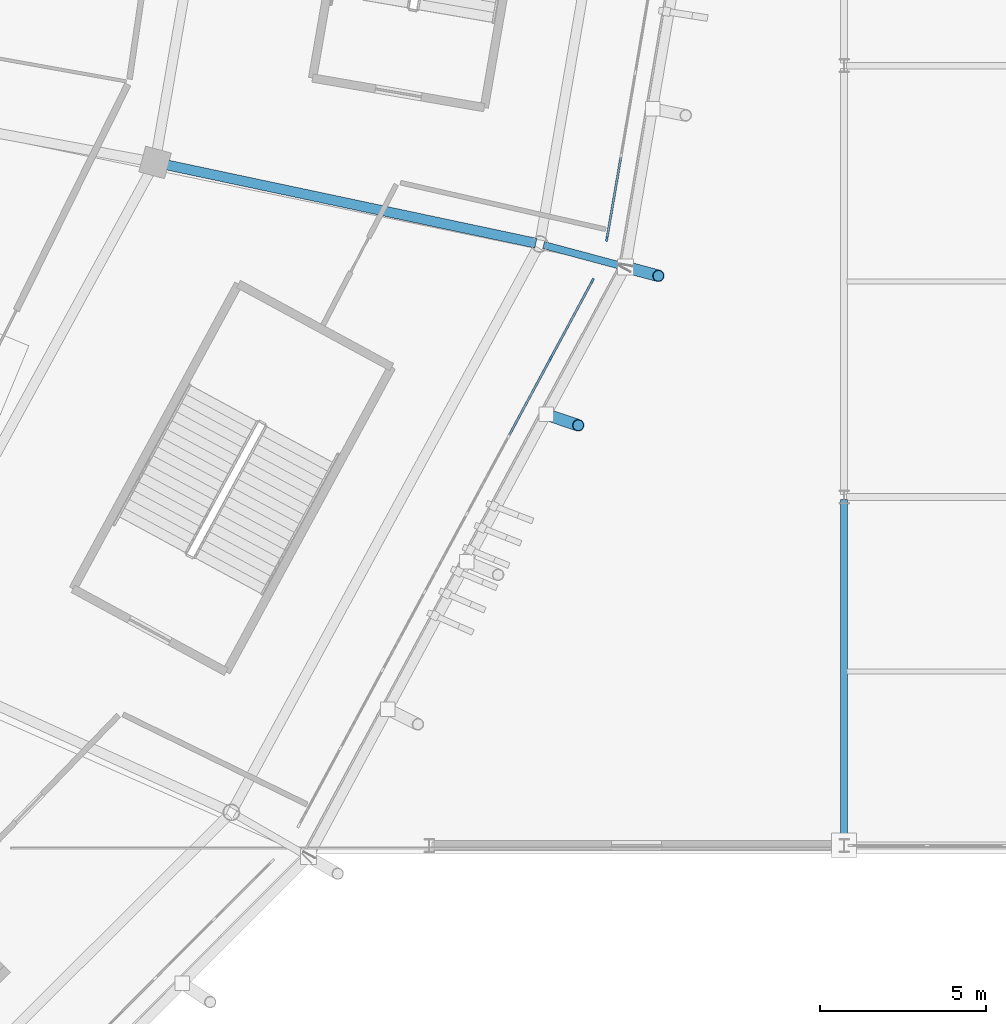
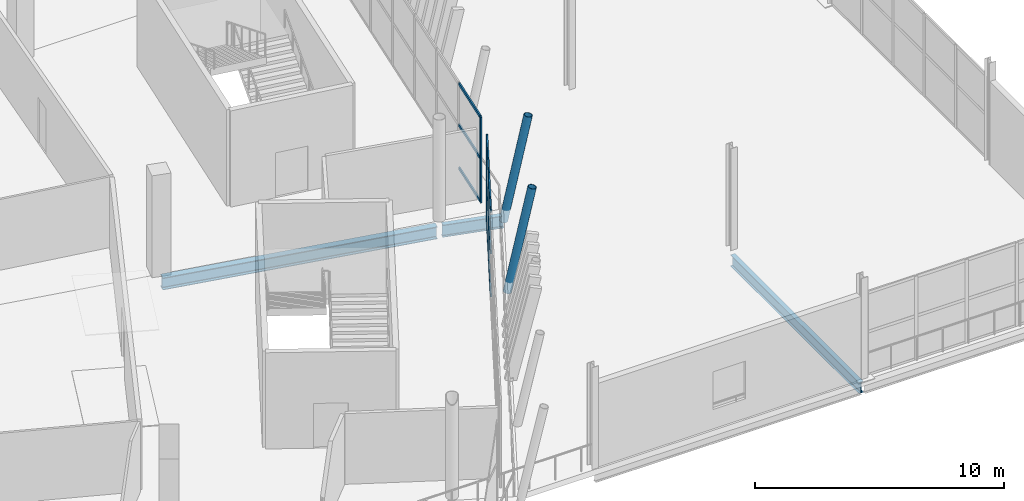
# One storey, part 61 of 179: 14 members, 3 beams, 2 elements without a shape of their own.
"""IFC4 building model written with IfcOpenShell, lengths in metres."""

from ifc_helpers import new_model, si_unit, direction, frame, origin, origin_2d, place, context, subcontext, project, spatial, rectangle, hollow_circle, i_section, extrude, material, material_profile, profile_set, type_object, element, aggregate, save


model = new_model("IFC4")

# Units and contexts
model_context = context("Model", 3, precision=1e-05, world=origin(), true_north=direction((0.0, 1.0)))
body_context = subcontext(model_context, "Body", "Model", "MODEL_VIEW")
ifc_project = project(units=[si_unit("LENGTHUNIT", "METRE"), si_unit("AREAUNIT", "SQUARE_METRE"), si_unit("VOLUMEUNIT", "CUBIC_METRE"), si_unit("PLANEANGLEUNIT", "RADIAN"), si_unit("MASSUNIT", "GRAM", prefix="KILO")], contexts=[model_context])

# Site, building, storey
site_placement = place(None, origin())
site = spatial("IfcSite", under=ifc_project, at=site_placement, CompositionType="ELEMENT")
building_placement = place(site_placement, origin())
building = spatial("IfcBuilding", under=site, at=building_placement, Name="Zlatoyarsky Gate Stadium", CompositionType="ELEMENT")
storey_placement = place(building_placement, frame((0.0, 0.0, 10.60009765625)))
storey = spatial("IfcBuildingStorey", under=building, at=storey_placement, Name="L02", CompositionType="ELEMENT", Elevation=10.60009765625)

# Curtain wall, members
ifc_material_1 = material(Name="Thermally broken anodised aluminium curtain wall", Category="aluminium")
curtain_wall_type = type_object("IfcCurtainWallType", Name="UNITISED HOSPITALITY GLAZING L02", PredefinedType="USERDEFINED", material=ifc_material_1)
curtain_wall_1_placement = place(storey_placement, origin())
curtain_wall_1 = element("IfcCurtainWall", 1, at=curtain_wall_1_placement, inside=storey, type_object=curtain_wall_type, Name="Curtain wall CW-L02-22", ObjectType="UNITISED GLAZING", PredefinedType="USERDEFINED")
ifc_material_2 = material(Name="Anodised aluminium 6063-T6", Category="aluminium")
ifc_material_profile_1 = material_profile(ifc_material_2, rectangle(XDim=0.06494140625, YDim=0.159912109375, at=origin_2d()), Name="ALU 65X160")
ifc_profile_set_1 = profile_set([ifc_material_profile_1], Name="Anodised aluminium 6063-T6")
member_type_1 = type_object("IfcMemberType", Name="ALUMINIUM MULLION 65X160", PredefinedType="MULLION", material=ifc_profile_set_1)
member_1_placement = place(storey_placement, frame((201.1640625, 58.189453125, 0.0), z_axis=(0.0, 0.0, 1.0), x_axis=(-0.88023705837, 0.474534214859, 0.0)))
member_1 = element("IfcMember", 2, at=member_1_placement, type_object=member_type_1, Name="CW-UG2 mullion 7", PredefinedType="MULLION", context=body_context, shape_type="SweptSolid", body=[
    extrude(rectangle(XDim=0.06494140625, YDim=0.159912109375, at=origin_2d()), origin(), (0.0, 0.0, 1.0), 4.199951171875),
])
member_2_placement = place(storey_placement, frame((202.415771484375, 60.511474609375, 0.0), z_axis=(0.0, 0.0, 1.0), x_axis=(-0.88023705837, 0.474534214859, 0.0)))
member_2 = element("IfcMember", 3, at=member_2_placement, type_object=member_type_1, Name="CW-UG2 mullion 8", PredefinedType="MULLION", context=body_context, shape_type="SweptSolid", body=[
    extrude(rectangle(XDim=0.06494140625, YDim=0.159912109375, at=origin_2d()), origin(), (0.0, 0.0, 1.0), 4.199951171875),
])

# Curtain wall, member
curtain_wall_2_placement = place(storey_placement, origin())
curtain_wall_2 = element("IfcCurtainWall", 4, at=curtain_wall_2_placement, inside=storey, type_object=curtain_wall_type, Name="Curtain wall CW-L02-23", ObjectType="UNITISED GLAZING", PredefinedType="USERDEFINED")
member_3_placement = place(storey_placement, frame((202.85498046875, 61.78515625, 0.0), z_axis=(0.0, 0.0, 1.0), x_axis=(-0.985637221019, 0.168876489016, 0.0)))
member_3 = element("IfcMember", 5, at=member_3_placement, type_object=member_type_1, Name="CW-UG2 mullion 1", PredefinedType="MULLION", context=body_context, shape_type="SweptSolid", body=[
    extrude(rectangle(XDim=0.06494140625, YDim=0.159912109375, at=origin_2d()), origin(), (0.0, 0.0, 1.0), 4.199951171875),
])

# Member
ifc_material_profile_2 = material_profile(ifc_material_2, rectangle(XDim=0.06494140625, YDim=0.139892578125, at=origin_2d()), Name="ALU 65X140")
ifc_profile_set_2 = profile_set([ifc_material_profile_2], Name="Anodised aluminium 6063-T6")
member_type_2 = type_object("IfcMemberType", Name="ALUMINIUM TRANSOM 65X140", PredefinedType="USERDEFINED", material=ifc_profile_set_2)
member_4_placement = place(storey_placement, frame((199.912109375, 55.8671875, 0.032470703125), z_axis=(0.47451326859, 0.880248350145, 0.0), x_axis=(-0.880248350145, 0.47451326859, 0.0)))
member_4 = element("IfcMember", 6, at=member_4_placement, type_object=member_type_2, Name="CW-UG2 transom 6.1", ObjectType="TRANSOM", PredefinedType="USERDEFINED", context=body_context, shape_type="SweptSolid", body=[
    extrude(rectangle(XDim=0.06494140625, YDim=0.139892578125, at=origin_2d()), origin(), (0.0, 0.0, 1.0), 2.60546875),
])

member_5_placement = place(storey_placement, frame((199.912109375, 55.8671875, 2.14990234375), z_axis=(0.47451326859, 0.880248350145, 0.0), x_axis=(-0.880248350145, 0.47451326859, 0.0)))
member_5 = element("IfcMember", 7, at=member_5_placement, type_object=member_type_2, Name="CW-UG2 transom 6.2", ObjectType="TRANSOM", PredefinedType="USERDEFINED", context=body_context, shape_type="SweptSolid", body=[
    extrude(rectangle(XDim=0.06494140625, YDim=0.139892578125, at=origin_2d()), origin(), (0.0, 0.0, 1.0), 2.60546875),
])

member_6_placement = place(storey_placement, frame((199.912109375, 55.8671875, 4.16748046875), z_axis=(0.47451326859, 0.880248350145, 0.0), x_axis=(-0.880248350145, 0.47451326859, 0.0)))
member_6 = element("IfcMember", 8, at=member_6_placement, type_object=member_type_2, Name="CW-UG2 transom 6.3", ObjectType="TRANSOM", PredefinedType="USERDEFINED", context=body_context, shape_type="SweptSolid", body=[
    extrude(rectangle(XDim=0.06494140625, YDim=0.139892578125, at=origin_2d()), origin(), (0.0, 0.0, 1.0), 2.60546875),
])

member_7_placement = place(storey_placement, frame((201.179443359375, 58.218017578125, 0.032470703125), z_axis=(0.474518480893, 0.880245540341, 0.0), x_axis=(-0.880245540341, 0.474518480893, 0.0)))
member_7 = element("IfcMember", 9, at=member_7_placement, type_object=member_type_2, Name="CW-UG2 transom 7.1", ObjectType="TRANSOM", PredefinedType="USERDEFINED", context=body_context, shape_type="SweptSolid", body=[
    extrude(rectangle(XDim=0.06494140625, YDim=0.139892578125, at=origin_2d()), origin(), (0.0, 0.0, 1.0), 2.572998046875),
])

member_8_placement = place(storey_placement, frame((201.179443359375, 58.218017578125, 2.14990234375), z_axis=(0.474518480893, 0.880245540341, 0.0), x_axis=(-0.880245540341, 0.474518480893, 0.0)))
member_8 = element("IfcMember", 10, at=member_8_placement, type_object=member_type_2, Name="CW-UG2 transom 7.2", ObjectType="TRANSOM", PredefinedType="USERDEFINED", context=body_context, shape_type="SweptSolid", body=[
    extrude(rectangle(XDim=0.06494140625, YDim=0.139892578125, at=origin_2d()), origin(), (0.0, 0.0, 1.0), 2.572998046875),
])

member_9_placement = place(storey_placement, frame((201.179443359375, 58.218017578125, 4.16748046875), z_axis=(0.474518480893, 0.880245540341, 0.0), x_axis=(-0.880245540341, 0.474518480893, 0.0)))
member_9 = element("IfcMember", 11, at=member_9_placement, type_object=member_type_2, Name="CW-UG2 transom 7.3", ObjectType="TRANSOM", PredefinedType="USERDEFINED", context=body_context, shape_type="SweptSolid", body=[
    extrude(rectangle(XDim=0.06494140625, YDim=0.139892578125, at=origin_2d()), origin(), (0.0, 0.0, 1.0), 2.572998046875),
])

aggregate(curtain_wall_1, [member_1, member_2, member_4, member_5, member_6, member_7, member_8, member_9])

member_10_placement = place(storey_placement, frame((202.860595703125, 61.817138671875, 0.032470703125), z_axis=(0.168800921484, 0.985650165579, 0.0), x_axis=(-0.985650165579, 0.168800921484, 0.0)))
member_10 = element("IfcMember", 12, at=member_10_placement, type_object=member_type_2, Name="CW-UG2 transom 1.1", ObjectType="TRANSOM", PredefinedType="USERDEFINED", context=body_context, shape_type="SweptSolid", body=[
    extrude(rectangle(XDim=0.06494140625, YDim=0.139892578125, at=origin_2d()), origin(), (0.0, 0.0, 1.0), 2.454345703125),
])

member_11_placement = place(storey_placement, frame((202.860595703125, 61.817138671875, 2.14990234375), z_axis=(0.168800921484, 0.985650165579, 0.0), x_axis=(-0.985650165579, 0.168800921484, 0.0)))
member_11 = element("IfcMember", 13, at=member_11_placement, type_object=member_type_2, Name="CW-UG2 transom 1.2", ObjectType="TRANSOM", PredefinedType="USERDEFINED", context=body_context, shape_type="SweptSolid", body=[
    extrude(rectangle(XDim=0.06494140625, YDim=0.139892578125, at=origin_2d()), origin(), (0.0, 0.0, 1.0), 2.454345703125),
])

member_12_placement = place(storey_placement, frame((202.860595703125, 61.817138671875, 4.16748046875), z_axis=(0.168800921484, 0.985650165579, 0.0), x_axis=(-0.985650165579, 0.168800921484, 0.0)))
member_12 = element("IfcMember", 14, at=member_12_placement, type_object=member_type_2, Name="CW-UG2 transom 1.3", ObjectType="TRANSOM", PredefinedType="USERDEFINED", context=body_context, shape_type="SweptSolid", body=[
    extrude(rectangle(XDim=0.06494140625, YDim=0.139892578125, at=origin_2d()), origin(), (0.0, 0.0, 1.0), 2.454345703125),
])

aggregate(curtain_wall_2, [member_3, member_10, member_11, member_12])

# Beams
ifc_material_3 = material(Name="Steel S355", Category="steel")
ifc_material_profile_3 = material_profile(ifc_material_3, i_section(OverallWidth=0.219970703125, OverallDepth=0.60009765625, WebThickness=0.011962890625, FlangeThickness=0.01904296875, FilletRadius=0.02392578125, at=origin_2d()), Name="IPE 600")
ifc_profile_set_3 = profile_set([ifc_material_profile_3], Name="Steel S355")
beam_type_1 = type_object("IfcBeamType", Name="STEEL CANTILEVER FLOOR BEAM IPE 600", PredefinedType="BEAM", material=ifc_profile_set_3)
beam_1_placement = place(storey_placement, frame((200.947021484375, 61.5927734375, -0.580078125), z_axis=(0.965937819088, -0.258774283219, 0.0), x_axis=(0.258774283219, 0.965937819088, 0.0)))
element("IfcBeam", 15, at=beam_1_placement, inside=storey, type_object=beam_type_1, Name="Beam B-IPE600 BM-L02-OUT-23", PredefinedType="BEAM", context=body_context, shape_type="SweptSolid", body=[
    extrude(i_section(OverallWidth=0.219970703125, OverallDepth=0.60009765625, WebThickness=0.011962890625, FlangeThickness=0.01904296875, FilletRadius=0.02392578125, at=origin_2d()), origin(), (0.0, 0.0, 1.0), 2.555908203125),
])
ifc_material_profile_4 = material_profile(ifc_material_3, i_section(OverallWidth=0.2099609375, OverallDepth=0.550048828125, WebThickness=0.010986328125, FlangeThickness=0.01708984375, FilletRadius=0.02392578125, at=origin_2d()), Name="IPE 550")
ifc_profile_set_4 = profile_set([ifc_material_profile_4], Name="Steel S355")
beam_type_2 = type_object("IfcBeamType", Name="STEEL FLOOR BEAM IPE 550", PredefinedType="BEAM", material=ifc_profile_set_4)
beam_2_placement = place(storey_placement, frame((210.0, 43.580078125, -0.55517578125), z_axis=(0.0, 1.0, 0.0), x_axis=(-1.0, 0.0, 0.0)))
element("IfcBeam", 16, at=beam_2_placement, inside=storey, type_object=beam_type_2, Name="Beam B-IPE550 BM-L02-WGY-18-E", PredefinedType="BEAM", context=body_context, shape_type="SweptSolid", body=[
    extrude(i_section(OverallWidth=0.2099609375, OverallDepth=0.550048828125, WebThickness=0.010986328125, FlangeThickness=0.01708984375, FilletRadius=0.02392578125, at=origin_2d()), origin(), (0.0, 0.0, 1.0), 10.33984375),
])

# Members
ifc_material_profile_5 = material_profile(ifc_material_3, hollow_circle(Radius=0.177734375, WallThickness=0.02001953125, at=origin_2d()), Name="CHS 355.6X20")
ifc_profile_set_5 = profile_set([ifc_material_profile_5], Name="Steel S355")
member_type_3 = type_object("IfcMemberType", Name="STEEL LEANING RIB RING STRUT CHS 355.6X20", PredefinedType="STRUT", material=ifc_profile_set_5)
member_13_placement = place(storey_placement, frame((203.415771484375, 60.931396484375, -0.580078125), z_axis=(0.194239964978, -0.052087496149, 0.979570175511), x_axis=(0.259009511327, 0.96587477089, 0.0)))
element("IfcMember", 17, at=member_13_placement, inside=storey, type_object=member_type_3, Name="Leaning ring strut 23 L02 to L03", PredefinedType="STRUT", context=body_context, shape_type="SweptSolid", body=[
    extrude(hollow_circle(Radius=0.177734375, WallThickness=0.02001953125, at=origin_2d()), origin(), (0.0, 0.0, 1.0), 5.104248046875),
])
member_14_placement = place(storey_placement, frame((201.0263671875, 56.489013671875, -0.530029296875), z_axis=(0.189266850375, -0.064205286452, 0.979824341676), x_axis=(0.32125034364, 0.946994306588, 0.0)))
element("IfcMember", 18, at=member_14_placement, inside=storey, type_object=member_type_3, Name="Outward-leaning bowl louvre fin rib L02 22-3", PredefinedType="STRUT", context=body_context, shape_type="SweptSolid", body=[
    extrude(hollow_circle(Radius=0.177734375, WallThickness=0.02001953125, at=origin_2d()), origin(), (0.0, 0.0, 1.0), 5.10302734375),
])

# Beam
ifc_material_profile_6 = material_profile(ifc_material_3, i_section(OverallWidth=0.300048828125, OverallDepth=0.60009765625, WebThickness=0.015380859375, FlangeThickness=0.030029296875, FilletRadius=0.027099609375, at=origin_2d()), Name="HEB 600")
ifc_profile_set_6 = profile_set([ifc_material_profile_6], Name="Steel S355")
beam_type_3 = type_object("IfcBeamType", Name="STEEL PRIMARY GIRDER HEB 600", PredefinedType="BEAM", material=ifc_profile_set_6)
beam_3_placement = place(storey_placement, frame((189.357421875, 64.0576171875, -0.580078125), z_axis=(0.978233348926, -0.207507867438, 0.0), x_axis=(0.207507867438, 0.978233348926, 0.0)))
element("IfcBeam", 19, at=beam_3_placement, inside=storey, type_object=beam_type_3, Name="Beam G-HEB600 BM-L02-RBC-23", PredefinedType="BEAM", context=body_context, shape_type="SweptSolid", body=[
    extrude(i_section(OverallWidth=0.300048828125, OverallDepth=0.60009765625, WebThickness=0.015380859375, FlangeThickness=0.030029296875, FilletRadius=0.027099609375, at=origin_2d()), origin(), (0.0, 0.0, 1.0), 11.60888671875),
])

save(model, "model.ifc")
